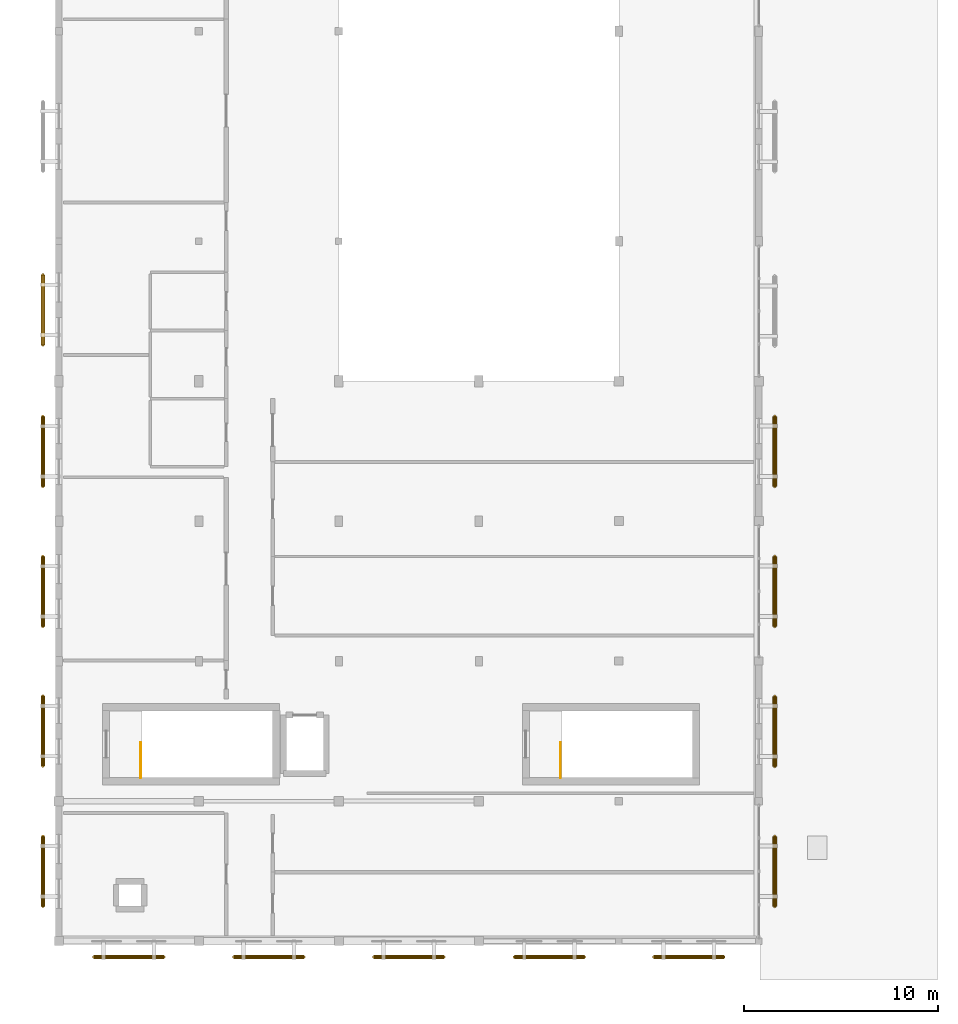
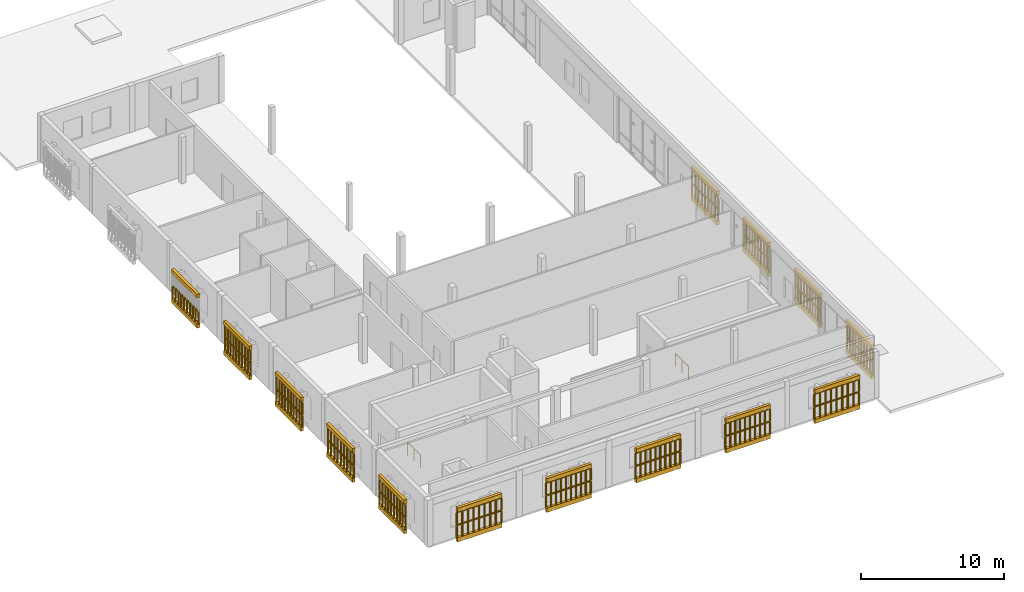
# One storey, part 11 of 11: 29 railings, 28 coverings.
"""IFC4 building model written with IfcOpenShell, lengths in metres."""

from ifc_helpers import new_model, si_unit, direction, frame, origin, origin_2d, place, context, subcontext, project, spatial, polyline, circle, outline, extrude, material, layer, layer_set, type_object, element, save


model = new_model("IFC4")

# Units and contexts
model_context = context("Model", 3, precision=1e-05, world=origin(), true_north=direction((0.0, 1.0)))
body_context = subcontext(model_context, "Body", "Model", "MODEL_VIEW")
ifc_project = project(units=[si_unit("LENGTHUNIT", "METRE"), si_unit("AREAUNIT", "SQUARE_METRE"), si_unit("VOLUMEUNIT", "CUBIC_METRE"), si_unit("PLANEANGLEUNIT", "RADIAN"), si_unit("MASSUNIT", "GRAM", prefix="KILO")], contexts=[model_context])

# Site, building, storey
site_placement = place(None, origin())
site = spatial("IfcSite", under=ifc_project, at=site_placement, CompositionType="ELEMENT")
building_placement = place(site_placement, origin())
building = spatial("IfcBuilding", under=site, at=building_placement, Name="Mazaris Harbour Polytechnic", CompositionType="ELEMENT")
storey_placement = place(building_placement, frame((0.0, 0.0, 22.199951171875)))
storey = spatial("IfcBuildingStorey", under=building, at=storey_placement, Name="L05", CompositionType="ELEMENT", Elevation=22.199951171875)

# Railings
ifc_material_1 = material(Name="Perforated Earth-Coloured Terracotta Block", Category="masonry")
railing_type_1 = type_object("IfcRailingType", Name="Perforated Earth-Block Claustra Lattice 1040", PredefinedType="BALUSTRADE", material=ifc_material_1)
for number, where, name in (
    (1, (5.39990234375, 6.3798828125, 0.52001953125), "V4 L05 Lower Perforated Terracotta Block Screen 336"),
    (2, (5.39990234375, 6.3798828125, 1.610107421875), "V4 L05 Upper Perforated Terracotta Block Screen 336"),
):
    element("IfcRailing", number, at=place(storey_placement, frame(where)), inside=storey, type_object=railing_type_1, Name=name, PredefinedType="BALUSTRADE", context=body_context, shape_type="SweptSolid", body=[
        extrude(circle(Radius=0.06982421875, at=origin_2d()), frame((0.0, 0.0, 1.02001953125), z_axis=(-1.0, 0.0, 0.0), x_axis=(0.0, -1.0, 0.0)), (0.0, 0.0, 1.0), 3.599853515625),
        extrude(circle(Radius=0.074951171875, at=origin_2d()), origin(), (0.0, 0.0, 1.0), 0.9501953125),
        extrude(circle(Radius=0.074951171875, at=origin_2d()), frame((-0.449951171875, 0.0, 0.0)), (0.0, 0.0, 1.0), 0.9501953125),
        extrude(circle(Radius=0.074951171875, at=origin_2d()), frame((-0.89990234375, 0.0, 0.0)), (0.0, 0.0, 1.0), 0.9501953125),
        extrude(circle(Radius=0.074951171875, at=origin_2d()), frame((-1.349853515625, 0.0, 0.0)), (0.0, 0.0, 1.0), 0.9501953125),
        extrude(circle(Radius=0.074951171875, at=origin_2d()), frame((-1.7998046875, 0.0, 0.0)), (0.0, 0.0, 1.0), 0.9501953125),
        extrude(circle(Radius=0.074951171875, at=origin_2d()), frame((-2.25, 0.0, 0.0)), (0.0, 0.0, 1.0), 0.9501953125),
        extrude(circle(Radius=0.074951171875, at=origin_2d()), frame((-2.699951171875, 0.0, 0.0)), (0.0, 0.0, 1.0), 0.9501953125),
        extrude(circle(Radius=0.074951171875, at=origin_2d()), frame((-3.14990234375, 0.0, 0.0)), (0.0, 0.0, 1.0), 0.9501953125),
        extrude(circle(Radius=0.074951171875, at=origin_2d()), frame((-3.599853515625, 0.0, 0.0)), (0.0, 0.0, 1.0), 0.9501953125),
    ])
for number, where, name in (
    (3, (12.60009765625, 6.3798828125, 0.52001953125), "V4 L05 Lower Perforated Terracotta Block Screen 337"),
    (4, (12.60009765625, 6.3798828125, 1.610107421875), "V4 L05 Upper Perforated Terracotta Block Screen 337"),
    (5, (19.800048828125, 6.3798828125, 0.52001953125), "V4 L05 Lower Perforated Terracotta Block Screen 338"),
    (6, (19.800048828125, 6.3798828125, 1.610107421875), "V4 L05 Upper Perforated Terracotta Block Screen 338"),
    (7, (27.030029296875, 6.3798828125, 0.52001953125), "V4 L05 Lower Perforated Terracotta Block Screen 339"),
    (8, (27.030029296875, 6.3798828125, 1.610107421875), "V4 L05 Upper Perforated Terracotta Block Screen 339"),
):
    element("IfcRailing", number, at=place(storey_placement, frame(where)), inside=storey, type_object=railing_type_1, Name=name, PredefinedType="BALUSTRADE", context=body_context, shape_type="SweptSolid", body=[
        extrude(circle(Radius=0.06982421875, at=origin_2d()), frame((0.0, 0.0, 1.02001953125), z_axis=(-1.0, 0.0, 0.0), x_axis=(0.0, -1.0, 0.0)), (0.0, 0.0, 1.0), 3.60009765625),
        extrude(circle(Radius=0.074951171875, at=origin_2d()), origin(), (0.0, 0.0, 1.0), 0.9501953125),
        extrude(circle(Radius=0.074951171875, at=origin_2d()), frame((-0.39990234375, 0.0, 0.0)), (0.0, 0.0, 1.0), 0.9501953125),
        extrude(circle(Radius=0.074951171875, at=origin_2d()), frame((-0.800048828125, 0.0, 0.0)), (0.0, 0.0, 1.0), 0.9501953125),
        extrude(circle(Radius=0.074951171875, at=origin_2d()), frame((-1.199951171875, 0.0, 0.0)), (0.0, 0.0, 1.0), 0.9501953125),
        extrude(circle(Radius=0.074951171875, at=origin_2d()), frame((-1.60009765625, 0.0, 0.0)), (0.0, 0.0, 1.0), 0.9501953125),
        extrude(circle(Radius=0.074951171875, at=origin_2d()), frame((-2.0, 0.0, 0.0)), (0.0, 0.0, 1.0), 0.9501953125),
        extrude(circle(Radius=0.074951171875, at=origin_2d()), frame((-2.400146484375, 0.0, 0.0)), (0.0, 0.0, 1.0), 0.9501953125),
        extrude(circle(Radius=0.074951171875, at=origin_2d()), frame((-2.800048828125, 0.0, 0.0)), (0.0, 0.0, 1.0), 0.9501953125),
        extrude(circle(Radius=0.074951171875, at=origin_2d()), frame((-3.2001953125, 0.0, 0.0)), (0.0, 0.0, 1.0), 0.9501953125),
        extrude(circle(Radius=0.074951171875, at=origin_2d()), frame((-3.60009765625, 0.0, 0.0)), (0.0, 0.0, 1.0), 0.9501953125),
    ])
for number, where, name in (
    (9, (34.199951171875, 6.3798828125, 0.52001953125), "V4 L05 Lower Perforated Terracotta Block Screen 340"),
    (10, (34.199951171875, 6.3798828125, 1.610107421875), "V4 L05 Upper Perforated Terracotta Block Screen 340"),
):
    element("IfcRailing", number, at=place(storey_placement, frame(where)), inside=storey, type_object=railing_type_1, Name=name, PredefinedType="BALUSTRADE", context=body_context, shape_type="SweptSolid", body=[
        extrude(circle(Radius=0.06982421875, at=origin_2d()), frame((0.0, 0.0, 1.02001953125), z_axis=(-1.0, 0.0, 0.0), x_axis=(0.0, -1.0, 0.0)), (0.0, 0.0, 1.0), 3.599853515625),
        extrude(circle(Radius=0.074951171875, at=origin_2d()), origin(), (0.0, 0.0, 1.0), 0.9501953125),
        extrude(circle(Radius=0.074951171875, at=origin_2d()), frame((-0.449951171875, 0.0, 0.0)), (0.0, 0.0, 1.0), 0.9501953125),
        extrude(circle(Radius=0.074951171875, at=origin_2d()), frame((-0.89990234375, 0.0, 0.0)), (0.0, 0.0, 1.0), 0.9501953125),
        extrude(circle(Radius=0.074951171875, at=origin_2d()), frame((-1.349853515625, 0.0, 0.0)), (0.0, 0.0, 1.0), 0.9501953125),
        extrude(circle(Radius=0.074951171875, at=origin_2d()), frame((-1.7998046875, 0.0, 0.0)), (0.0, 0.0, 1.0), 0.9501953125),
        extrude(circle(Radius=0.074951171875, at=origin_2d()), frame((-2.25, 0.0, 0.0)), (0.0, 0.0, 1.0), 0.9501953125),
        extrude(circle(Radius=0.074951171875, at=origin_2d()), frame((-2.699951171875, 0.0, 0.0)), (0.0, 0.0, 1.0), 0.9501953125),
        extrude(circle(Radius=0.074951171875, at=origin_2d()), frame((-3.14990234375, 0.0, 0.0)), (0.0, 0.0, 1.0), 0.9501953125),
        extrude(circle(Radius=0.074951171875, at=origin_2d()), frame((-3.599853515625, 0.0, 0.0)), (0.0, 0.0, 1.0), 0.9501953125),
    ])
for number, where, name in (
    (11, (-0.820068359375, 8.989990234375, 0.52001953125), "V4 L05 Lower Perforated Terracotta Block Screen 344"),
    (12, (-0.820068359375, 8.989990234375, 1.610107421875), "V4 L05 Upper Perforated Terracotta Block Screen 344"),
):
    element("IfcRailing", number, at=place(storey_placement, frame(where)), inside=storey, type_object=railing_type_1, Name=name, PredefinedType="BALUSTRADE", context=body_context, shape_type="SweptSolid", body=[
        extrude(circle(Radius=0.06982421875, at=origin_2d()), frame((0.0, 0.0, 1.02001953125), z_axis=(0.0, 1.0, 0.0), x_axis=(-1.0, 0.0, 0.0)), (0.0, 0.0, 1.0), 3.60009765625),
        extrude(circle(Radius=0.074951171875, at=origin_2d()), origin(), (0.0, 0.0, 1.0), 0.9501953125),
        extrude(circle(Radius=0.074951171875, at=origin_2d()), frame((0.0, 0.39990234375, 0.0)), (0.0, 0.0, 1.0), 0.9501953125),
        extrude(circle(Radius=0.074951171875, at=origin_2d()), frame((0.0, 0.800048828125, 0.0)), (0.0, 0.0, 1.0), 0.9501953125),
        extrude(circle(Radius=0.074951171875, at=origin_2d()), frame((0.0, 1.199951171875, 0.0)), (0.0, 0.0, 1.0), 0.9501953125),
        extrude(circle(Radius=0.074951171875, at=origin_2d()), frame((0.0, 1.60009765625, 0.0)), (0.0, 0.0, 1.0), 0.9501953125),
        extrude(circle(Radius=0.074951171875, at=origin_2d()), frame((0.0, 2.0, 0.0)), (0.0, 0.0, 1.0), 0.9501953125),
        extrude(circle(Radius=0.074951171875, at=origin_2d()), frame((0.0, 2.400146484375, 0.0)), (0.0, 0.0, 1.0), 0.9501953125),
        extrude(circle(Radius=0.074951171875, at=origin_2d()), frame((0.0, 2.800048828125, 0.0)), (0.0, 0.0, 1.0), 0.9501953125),
        extrude(circle(Radius=0.074951171875, at=origin_2d()), frame((0.0, 3.2001953125, 0.0)), (0.0, 0.0, 1.0), 0.9501953125),
        extrude(circle(Radius=0.074951171875, at=origin_2d()), frame((0.0, 3.60009765625, 0.0)), (0.0, 0.0, 1.0), 0.9501953125),
    ])
for number, where, name in (
    (13, (-0.820068359375, 16.205078125, 0.52001953125), "V4 L05 Lower Perforated Terracotta Block Screen 345"),
    (14, (-0.820068359375, 16.205078125, 1.610107421875), "V4 L05 Upper Perforated Terracotta Block Screen 345"),
):
    element("IfcRailing", number, at=place(storey_placement, frame(where)), inside=storey, type_object=railing_type_1, Name=name, PredefinedType="BALUSTRADE", context=body_context, shape_type="SweptSolid", body=[
        extrude(circle(Radius=0.06982421875, at=origin_2d()), frame((0.0, 0.0, 1.02001953125), z_axis=(0.0, 1.0, 0.0), x_axis=(-1.0, 0.0, 0.0)), (0.0, 0.0, 1.0), 3.599853515625),
        extrude(circle(Radius=0.074951171875, at=origin_2d()), origin(), (0.0, 0.0, 1.0), 0.9501953125),
        extrude(circle(Radius=0.074951171875, at=origin_2d()), frame((0.0, 0.449951171875, 0.0)), (0.0, 0.0, 1.0), 0.9501953125),
        extrude(circle(Radius=0.074951171875, at=origin_2d()), frame((0.0, 0.89990234375, 0.0)), (0.0, 0.0, 1.0), 0.9501953125),
        extrude(circle(Radius=0.074951171875, at=origin_2d()), frame((0.0, 1.349853515625, 0.0)), (0.0, 0.0, 1.0), 0.9501953125),
        extrude(circle(Radius=0.074951171875, at=origin_2d()), frame((0.0, 1.7998046875, 0.0)), (0.0, 0.0, 1.0), 0.9501953125),
        extrude(circle(Radius=0.074951171875, at=origin_2d()), frame((0.0, 2.25, 0.0)), (0.0, 0.0, 1.0), 0.9501953125),
        extrude(circle(Radius=0.074951171875, at=origin_2d()), frame((0.0, 2.699951171875, 0.0)), (0.0, 0.0, 1.0), 0.9501953125),
        extrude(circle(Radius=0.074951171875, at=origin_2d()), frame((0.0, 3.14990234375, 0.0)), (0.0, 0.0, 1.0), 0.9501953125),
        extrude(circle(Radius=0.074951171875, at=origin_2d()), frame((0.0, 3.599853515625, 0.0)), (0.0, 0.0, 1.0), 0.9501953125),
    ])
for number, where, name in (
    (15, (-0.820068359375, 23.385009765625, 0.52001953125), "V4 L05 Lower Perforated Terracotta Block Screen 346"),
    (16, (-0.820068359375, 23.385009765625, 1.610107421875), "V4 L05 Upper Perforated Terracotta Block Screen 346"),
    (17, (-0.820068359375, 30.5849609375, 0.52001953125), "V4 L05 Lower Perforated Terracotta Block Screen 347"),
    (18, (-0.820068359375, 30.5849609375, 1.610107421875), "V4 L05 Upper Perforated Terracotta Block Screen 347"),
    (19, (-0.820068359375, 37.864990234375, 0.52001953125), "V4 L05 Lower Perforated Terracotta Block Screen 348"),
):
    element("IfcRailing", number, at=place(storey_placement, frame(where)), inside=storey, type_object=railing_type_1, Name=name, PredefinedType="BALUSTRADE", context=body_context, shape_type="SweptSolid", body=[
        extrude(circle(Radius=0.06982421875, at=origin_2d()), frame((0.0, 0.0, 1.02001953125), z_axis=(0.0, 1.0, 0.0), x_axis=(-1.0, 0.0, 0.0)), (0.0, 0.0, 1.0), 3.60009765625),
        extrude(circle(Radius=0.074951171875, at=origin_2d()), origin(), (0.0, 0.0, 1.0), 0.9501953125),
        extrude(circle(Radius=0.074951171875, at=origin_2d()), frame((0.0, 0.39990234375, 0.0)), (0.0, 0.0, 1.0), 0.9501953125),
        extrude(circle(Radius=0.074951171875, at=origin_2d()), frame((0.0, 0.800048828125, 0.0)), (0.0, 0.0, 1.0), 0.9501953125),
        extrude(circle(Radius=0.074951171875, at=origin_2d()), frame((0.0, 1.199951171875, 0.0)), (0.0, 0.0, 1.0), 0.9501953125),
        extrude(circle(Radius=0.074951171875, at=origin_2d()), frame((0.0, 1.60009765625, 0.0)), (0.0, 0.0, 1.0), 0.9501953125),
        extrude(circle(Radius=0.074951171875, at=origin_2d()), frame((0.0, 2.0, 0.0)), (0.0, 0.0, 1.0), 0.9501953125),
        extrude(circle(Radius=0.074951171875, at=origin_2d()), frame((0.0, 2.400146484375, 0.0)), (0.0, 0.0, 1.0), 0.9501953125),
        extrude(circle(Radius=0.074951171875, at=origin_2d()), frame((0.0, 2.800048828125, 0.0)), (0.0, 0.0, 1.0), 0.9501953125),
        extrude(circle(Radius=0.074951171875, at=origin_2d()), frame((0.0, 3.2001953125, 0.0)), (0.0, 0.0, 1.0), 0.9501953125),
        extrude(circle(Radius=0.074951171875, at=origin_2d()), frame((0.0, 3.60009765625, 0.0)), (0.0, 0.0, 1.0), 0.9501953125),
    ])
for number, where, name in (
    (20, (36.820068359375, 12.590087890625, 0.52001953125), "V4 L05 Lower Perforated Terracotta Block Screen 351"),
    (21, (36.820068359375, 12.590087890625, 1.610107421875), "V4 L05 Upper Perforated Terracotta Block Screen 351"),
    (22, (36.820068359375, 19.7900390625, 0.52001953125), "V4 L05 Lower Perforated Terracotta Block Screen 352"),
    (23, (36.820068359375, 19.7900390625, 1.610107421875), "V4 L05 Upper Perforated Terracotta Block Screen 352"),
    (24, (36.820068359375, 26.989990234375, 0.52001953125), "V4 L05 Lower Perforated Terracotta Block Screen 353"),
    (25, (36.820068359375, 26.989990234375, 1.610107421875), "V4 L05 Upper Perforated Terracotta Block Screen 353"),
):
    element("IfcRailing", number, at=place(storey_placement, frame(where)), inside=storey, type_object=railing_type_1, Name=name, PredefinedType="BALUSTRADE", context=body_context, shape_type="SweptSolid", body=[
        extrude(circle(Radius=0.06982421875, at=origin_2d()), frame((0.0, 0.0, 1.02001953125), z_axis=(0.0, -1.0, 0.0), x_axis=(1.0, 0.0, 0.0)), (0.0, 0.0, 1.0), 3.60009765625),
        extrude(circle(Radius=0.074951171875, at=origin_2d()), origin(), (0.0, 0.0, 1.0), 0.9501953125),
        extrude(circle(Radius=0.074951171875, at=origin_2d()), frame((0.0, -0.39990234375, 0.0)), (0.0, 0.0, 1.0), 0.9501953125),
        extrude(circle(Radius=0.074951171875, at=origin_2d()), frame((0.0, -0.800048828125, 0.0)), (0.0, 0.0, 1.0), 0.9501953125),
        extrude(circle(Radius=0.074951171875, at=origin_2d()), frame((0.0, -1.199951171875, 0.0)), (0.0, 0.0, 1.0), 0.9501953125),
        extrude(circle(Radius=0.074951171875, at=origin_2d()), frame((0.0, -1.60009765625, 0.0)), (0.0, 0.0, 1.0), 0.9501953125),
        extrude(circle(Radius=0.074951171875, at=origin_2d()), frame((0.0, -2.0, 0.0)), (0.0, 0.0, 1.0), 0.9501953125),
        extrude(circle(Radius=0.074951171875, at=origin_2d()), frame((0.0, -2.400146484375, 0.0)), (0.0, 0.0, 1.0), 0.9501953125),
        extrude(circle(Radius=0.074951171875, at=origin_2d()), frame((0.0, -2.800048828125, 0.0)), (0.0, 0.0, 1.0), 0.9501953125),
        extrude(circle(Radius=0.074951171875, at=origin_2d()), frame((0.0, -3.2001953125, 0.0)), (0.0, 0.0, 1.0), 0.9501953125),
        extrude(circle(Radius=0.074951171875, at=origin_2d()), frame((0.0, -3.60009765625, 0.0)), (0.0, 0.0, 1.0), 0.9501953125),
    ])
for number, where, name in (
    (26, (36.820068359375, 34.18994140625, 0.52001953125), "V4 L05 Lower Perforated Terracotta Block Screen 354"),
    (27, (36.820068359375, 34.18994140625, 1.610107421875), "V4 L05 Upper Perforated Terracotta Block Screen 354"),
):
    element("IfcRailing", number, at=place(storey_placement, frame(where)), inside=storey, type_object=railing_type_1, Name=name, PredefinedType="BALUSTRADE", context=body_context, shape_type="SweptSolid", body=[
        extrude(circle(Radius=0.06982421875, at=origin_2d()), frame((0.0, 0.0, 1.02001953125), z_axis=(0.0, -1.0, 0.0), x_axis=(1.0, 0.0, 0.0)), (0.0, 0.0, 1.0), 3.599853515625),
        extrude(circle(Radius=0.074951171875, at=origin_2d()), origin(), (0.0, 0.0, 1.0), 0.9501953125),
        extrude(circle(Radius=0.074951171875, at=origin_2d()), frame((0.0, -0.449951171875, 0.0)), (0.0, 0.0, 1.0), 0.9501953125),
        extrude(circle(Radius=0.074951171875, at=origin_2d()), frame((0.0, -0.89990234375, 0.0)), (0.0, 0.0, 1.0), 0.9501953125),
        extrude(circle(Radius=0.074951171875, at=origin_2d()), frame((0.0, -1.349853515625, 0.0)), (0.0, 0.0, 1.0), 0.9501953125),
        extrude(circle(Radius=0.074951171875, at=origin_2d()), frame((0.0, -1.7998046875, 0.0)), (0.0, 0.0, 1.0), 0.9501953125),
        extrude(circle(Radius=0.074951171875, at=origin_2d()), frame((0.0, -2.25, 0.0)), (0.0, 0.0, 1.0), 0.9501953125),
        extrude(circle(Radius=0.074951171875, at=origin_2d()), frame((0.0, -2.699951171875, 0.0)), (0.0, 0.0, 1.0), 0.9501953125),
        extrude(circle(Radius=0.074951171875, at=origin_2d()), frame((0.0, -3.14990234375, 0.0)), (0.0, 0.0, 1.0), 0.9501953125),
        extrude(circle(Radius=0.074951171875, at=origin_2d()), frame((0.0, -3.599853515625, 0.0)), (0.0, 0.0, 1.0), 0.9501953125),
    ])
ifc_material_2 = material(Name="Steel S355", Category="steel")
railing_type_2 = type_object("IfcRailingType", Name="Stair Well Guardrail 1100", PredefinedType="GUARDRAIL", material=ifc_material_2)
for number, where, name in (
    (28, (4.199951171875, 15.60009765625, 0.0), "L05 ST07 top well guard 1"),
    (29, (25.800048828125, 15.60009765625, 0.0), "L05 ST08 top well guard 1"),
):
    element("IfcRailing", number, at=place(storey_placement, frame(where)), inside=storey, type_object=railing_type_2, Name=name, PredefinedType="GUARDRAIL", context=body_context, shape_type="SweptSolid", body=[
        extrude(circle(Radius=0.02392578125, at=origin_2d()), frame((0.0, 0.0, 1.076171875), z_axis=(0.0, 1.0, 0.0), x_axis=(-1.0, 0.0, 0.0)), (0.0, 0.0, 1.0), 1.7998046875),
        extrude(circle(Radius=0.02099609375, at=origin_2d()), origin(), (0.0, 0.0, 1.0), 1.052001953125),
        extrude(circle(Radius=0.02099609375, at=origin_2d()), frame((0.0, 0.89990234375, 0.0)), (0.0, 0.0, 1.0), 1.052001953125),
        extrude(circle(Radius=0.02099609375, at=origin_2d()), frame((0.0, 1.7998046875, 0.0)), (0.0, 0.0, 1.0), 1.052001953125),
    ])

# Coverings
ifc_material_3 = material(Name="Perforated Earth-Coloured Terracotta Block", Category="masonry")
ifc_layer = layer(ifc_material_3, 0.219970703125, Name="Perforated Earth-Coloured Terracotta Block")
ifc_layer_set = layer_set([ifc_layer], Name="Perforated Earth-Coloured Terracotta Block")
covering_type = type_object("IfcCoveringType", Name="Terracotta Screen Course Cladding 220", PredefinedType="CLADDING", material=ifc_layer_set)
covering_1_placement = place(storey_placement, frame((0.0, 0.0, 0.16015625)))
element("IfcCovering", 30, at=covering_1_placement, inside=storey, type_object=covering_type, Name="V4 L05 Perforated Screen Sill Course 336", PredefinedType="CLADDING", context=body_context, shape_type="SweptSolid", body=[
    extrude(outline(polyline([(5.39990234375, 6.489990234375), (1.800048828125, 6.489990234375), (1.800048828125, 6.27001953125), (5.39990234375, 6.27001953125), (5.39990234375, 6.489990234375)])), origin(), (0.0, 0.0, 1.0), 0.35986328125),
])
covering_2_placement = place(storey_placement, frame((0.0, 0.0, 2.699951171875)))
element("IfcCovering", 31, at=covering_2_placement, inside=storey, type_object=covering_type, Name="V4 L05 Perforated Screen Lintel Course 336", PredefinedType="CLADDING", context=body_context, shape_type="SweptSolid", body=[
    extrude(outline(polyline([(5.39990234375, 6.489990234375), (1.800048828125, 6.489990234375), (1.800048828125, 6.27001953125), (5.39990234375, 6.27001953125), (5.39990234375, 6.489990234375)])), origin(), (0.0, 0.0, 1.0), 0.340087890625),
])
covering_3_placement = place(storey_placement, frame((0.0, 0.0, 0.16015625)))
element("IfcCovering", 32, at=covering_3_placement, inside=storey, type_object=covering_type, Name="V4 L05 Perforated Screen Sill Course 337", PredefinedType="CLADDING", context=body_context, shape_type="SweptSolid", body=[
    extrude(outline(polyline([(12.60009765625, 6.489990234375), (9.0, 6.489990234375), (9.0, 6.27001953125), (12.60009765625, 6.27001953125), (12.60009765625, 6.489990234375)])), origin(), (0.0, 0.0, 1.0), 0.35986328125),
])
covering_4_placement = place(storey_placement, frame((0.0, 0.0, 2.699951171875)))
element("IfcCovering", 33, at=covering_4_placement, inside=storey, type_object=covering_type, Name="V4 L05 Perforated Screen Lintel Course 337", PredefinedType="CLADDING", context=body_context, shape_type="SweptSolid", body=[
    extrude(outline(polyline([(12.60009765625, 6.489990234375), (9.0, 6.489990234375), (9.0, 6.27001953125), (12.60009765625, 6.27001953125), (12.60009765625, 6.489990234375)])), origin(), (0.0, 0.0, 1.0), 0.340087890625),
])
covering_5_placement = place(storey_placement, frame((0.0, 0.0, 0.16015625)))
element("IfcCovering", 34, at=covering_5_placement, inside=storey, type_object=covering_type, Name="V4 L05 Perforated Screen Sill Course 338", PredefinedType="CLADDING", context=body_context, shape_type="SweptSolid", body=[
    extrude(outline(polyline([(19.800048828125, 6.489990234375), (16.199951171875, 6.489990234375), (16.199951171875, 6.27001953125), (19.800048828125, 6.27001953125), (19.800048828125, 6.489990234375)])), origin(), (0.0, 0.0, 1.0), 0.35986328125),
])
covering_6_placement = place(storey_placement, frame((0.0, 0.0, 2.699951171875)))
element("IfcCovering", 35, at=covering_6_placement, inside=storey, type_object=covering_type, Name="V4 L05 Perforated Screen Lintel Course 338", PredefinedType="CLADDING", context=body_context, shape_type="SweptSolid", body=[
    extrude(outline(polyline([(19.800048828125, 6.489990234375), (16.199951171875, 6.489990234375), (16.199951171875, 6.27001953125), (19.800048828125, 6.27001953125), (19.800048828125, 6.489990234375)])), origin(), (0.0, 0.0, 1.0), 0.340087890625),
])
covering_7_placement = place(storey_placement, frame((0.0, 0.0, 0.16015625)))
element("IfcCovering", 36, at=covering_7_placement, inside=storey, type_object=covering_type, Name="V4 L05 Perforated Screen Sill Course 339", PredefinedType="CLADDING", context=body_context, shape_type="SweptSolid", body=[
    extrude(outline(polyline([(27.030029296875, 6.489990234375), (23.429931640625, 6.489990234375), (23.429931640625, 6.27001953125), (27.030029296875, 6.27001953125), (27.030029296875, 6.489990234375)])), origin(), (0.0, 0.0, 1.0), 0.35986328125),
])
covering_8_placement = place(storey_placement, frame((0.0, 0.0, 2.699951171875)))
element("IfcCovering", 37, at=covering_8_placement, inside=storey, type_object=covering_type, Name="V4 L05 Perforated Screen Lintel Course 339", PredefinedType="CLADDING", context=body_context, shape_type="SweptSolid", body=[
    extrude(outline(polyline([(27.030029296875, 6.489990234375), (23.429931640625, 6.489990234375), (23.429931640625, 6.27001953125), (27.030029296875, 6.27001953125), (27.030029296875, 6.489990234375)])), origin(), (0.0, 0.0, 1.0), 0.340087890625),
])
covering_9_placement = place(storey_placement, frame((0.0, 0.0, 0.16015625)))
element("IfcCovering", 38, at=covering_9_placement, inside=storey, type_object=covering_type, Name="V4 L05 Perforated Screen Sill Course 340", PredefinedType="CLADDING", context=body_context, shape_type="SweptSolid", body=[
    extrude(outline(polyline([(34.199951171875, 6.489990234375), (30.60009765625, 6.489990234375), (30.60009765625, 6.27001953125), (34.199951171875, 6.27001953125), (34.199951171875, 6.489990234375)])), origin(), (0.0, 0.0, 1.0), 0.35986328125),
])
covering_10_placement = place(storey_placement, frame((0.0, 0.0, 2.699951171875)))
element("IfcCovering", 39, at=covering_10_placement, inside=storey, type_object=covering_type, Name="V4 L05 Perforated Screen Lintel Course 340", PredefinedType="CLADDING", context=body_context, shape_type="SweptSolid", body=[
    extrude(outline(polyline([(34.199951171875, 6.489990234375), (30.60009765625, 6.489990234375), (30.60009765625, 6.27001953125), (34.199951171875, 6.27001953125), (34.199951171875, 6.489990234375)])), origin(), (0.0, 0.0, 1.0), 0.340087890625),
])
covering_11_placement = place(storey_placement, frame((0.0, 0.0, 0.16015625)))
element("IfcCovering", 40, at=covering_11_placement, inside=storey, type_object=covering_type, Name="V4 L05 Perforated Screen Sill Course 344", PredefinedType="CLADDING", context=body_context, shape_type="SweptSolid", body=[
    extrude(outline(polyline([(-0.7099609375, 8.989990234375), (-0.7099609375, 12.590087890625), (-0.929931640625, 12.590087890625), (-0.929931640625, 8.989990234375), (-0.7099609375, 8.989990234375)])), origin(), (0.0, 0.0, 1.0), 0.35986328125),
])
covering_12_placement = place(storey_placement, frame((0.0, 0.0, 2.699951171875)))
element("IfcCovering", 41, at=covering_12_placement, inside=storey, type_object=covering_type, Name="V4 L05 Perforated Screen Lintel Course 344", PredefinedType="CLADDING", context=body_context, shape_type="SweptSolid", body=[
    extrude(outline(polyline([(-0.7099609375, 8.989990234375), (-0.7099609375, 12.590087890625), (-0.929931640625, 12.590087890625), (-0.929931640625, 8.989990234375), (-0.7099609375, 8.989990234375)])), origin(), (0.0, 0.0, 1.0), 0.340087890625),
])
covering_13_placement = place(storey_placement, frame((0.0, 0.0, 0.16015625)))
element("IfcCovering", 42, at=covering_13_placement, inside=storey, type_object=covering_type, Name="V4 L05 Perforated Screen Sill Course 345", PredefinedType="CLADDING", context=body_context, shape_type="SweptSolid", body=[
    extrude(outline(polyline([(-0.7099609375, 16.205078125), (-0.7099609375, 19.804931640625), (-0.929931640625, 19.804931640625), (-0.929931640625, 16.205078125), (-0.7099609375, 16.205078125)])), origin(), (0.0, 0.0, 1.0), 0.35986328125),
])
covering_14_placement = place(storey_placement, frame((0.0, 0.0, 2.699951171875)))
element("IfcCovering", 43, at=covering_14_placement, inside=storey, type_object=covering_type, Name="V4 L05 Perforated Screen Lintel Course 345", PredefinedType="CLADDING", context=body_context, shape_type="SweptSolid", body=[
    extrude(outline(polyline([(-0.7099609375, 16.205078125), (-0.7099609375, 19.804931640625), (-0.929931640625, 19.804931640625), (-0.929931640625, 16.205078125), (-0.7099609375, 16.205078125)])), origin(), (0.0, 0.0, 1.0), 0.340087890625),
])
covering_15_placement = place(storey_placement, frame((0.0, 0.0, 0.16015625)))
element("IfcCovering", 44, at=covering_15_placement, inside=storey, type_object=covering_type, Name="V4 L05 Perforated Screen Sill Course 346", PredefinedType="CLADDING", context=body_context, shape_type="SweptSolid", body=[
    extrude(outline(polyline([(-0.7099609375, 23.385009765625), (-0.7099609375, 26.985107421875), (-0.929931640625, 26.985107421875), (-0.929931640625, 23.385009765625), (-0.7099609375, 23.385009765625)])), origin(), (0.0, 0.0, 1.0), 0.35986328125),
])
covering_16_placement = place(storey_placement, frame((0.0, 0.0, 2.699951171875)))
element("IfcCovering", 45, at=covering_16_placement, inside=storey, type_object=covering_type, Name="V4 L05 Perforated Screen Lintel Course 346", PredefinedType="CLADDING", context=body_context, shape_type="SweptSolid", body=[
    extrude(outline(polyline([(-0.7099609375, 23.385009765625), (-0.7099609375, 26.985107421875), (-0.929931640625, 26.985107421875), (-0.929931640625, 23.385009765625), (-0.7099609375, 23.385009765625)])), origin(), (0.0, 0.0, 1.0), 0.340087890625),
])
covering_17_placement = place(storey_placement, frame((0.0, 0.0, 0.16015625)))
element("IfcCovering", 46, at=covering_17_placement, inside=storey, type_object=covering_type, Name="V4 L05 Perforated Screen Sill Course 347", PredefinedType="CLADDING", context=body_context, shape_type="SweptSolid", body=[
    extrude(outline(polyline([(-0.7099609375, 30.5849609375), (-0.7099609375, 34.18505859375), (-0.929931640625, 34.18505859375), (-0.929931640625, 30.5849609375), (-0.7099609375, 30.5849609375)])), origin(), (0.0, 0.0, 1.0), 0.35986328125),
])
covering_18_placement = place(storey_placement, frame((0.0, 0.0, 2.699951171875)))
element("IfcCovering", 47, at=covering_18_placement, inside=storey, type_object=covering_type, Name="V4 L05 Perforated Screen Lintel Course 347", PredefinedType="CLADDING", context=body_context, shape_type="SweptSolid", body=[
    extrude(outline(polyline([(-0.7099609375, 30.5849609375), (-0.7099609375, 34.18505859375), (-0.929931640625, 34.18505859375), (-0.929931640625, 30.5849609375), (-0.7099609375, 30.5849609375)])), origin(), (0.0, 0.0, 1.0), 0.340087890625),
])
covering_19_placement = place(storey_placement, frame((0.0, 0.0, 0.16015625)))
element("IfcCovering", 48, at=covering_19_placement, inside=storey, type_object=covering_type, Name="V4 L05 Perforated Screen Sill Course 348", PredefinedType="CLADDING", context=body_context, shape_type="SweptSolid", body=[
    extrude(outline(polyline([(-0.7099609375, 37.864990234375), (-0.7099609375, 41.465087890625), (-0.929931640625, 41.465087890625), (-0.929931640625, 37.864990234375), (-0.7099609375, 37.864990234375)])), origin(), (0.0, 0.0, 1.0), 0.35986328125),
])
covering_20_placement = place(storey_placement, frame((0.0, 0.0, 2.699951171875)))
element("IfcCovering", 49, at=covering_20_placement, inside=storey, type_object=covering_type, Name="V4 L05 Perforated Screen Lintel Course 348", PredefinedType="CLADDING", context=body_context, shape_type="SweptSolid", body=[
    extrude(outline(polyline([(-0.7099609375, 37.864990234375), (-0.7099609375, 41.465087890625), (-0.929931640625, 41.465087890625), (-0.929931640625, 37.864990234375), (-0.7099609375, 37.864990234375)])), origin(), (0.0, 0.0, 1.0), 0.340087890625),
])
covering_21_placement = place(storey_placement, frame((0.0, 0.0, 0.16015625)))
element("IfcCovering", 50, at=covering_21_placement, inside=storey, type_object=covering_type, Name="V4 L05 Perforated Screen Sill Course 351", PredefinedType="CLADDING", context=body_context, shape_type="SweptSolid", body=[
    extrude(outline(polyline([(36.7099609375, 12.590087890625), (36.7099609375, 8.989990234375), (36.929931640625, 8.989990234375), (36.929931640625, 12.590087890625), (36.7099609375, 12.590087890625)])), origin(), (0.0, 0.0, 1.0), 0.35986328125),
])
covering_22_placement = place(storey_placement, frame((0.0, 0.0, 2.699951171875)))
element("IfcCovering", 51, at=covering_22_placement, inside=storey, type_object=covering_type, Name="V4 L05 Perforated Screen Lintel Course 351", PredefinedType="CLADDING", context=body_context, shape_type="SweptSolid", body=[
    extrude(outline(polyline([(36.7099609375, 12.590087890625), (36.7099609375, 8.989990234375), (36.929931640625, 8.989990234375), (36.929931640625, 12.590087890625), (36.7099609375, 12.590087890625)])), origin(), (0.0, 0.0, 1.0), 0.340087890625),
])
covering_23_placement = place(storey_placement, frame((0.0, 0.0, 0.16015625)))
element("IfcCovering", 52, at=covering_23_placement, inside=storey, type_object=covering_type, Name="V4 L05 Perforated Screen Sill Course 352", PredefinedType="CLADDING", context=body_context, shape_type="SweptSolid", body=[
    extrude(outline(polyline([(36.7099609375, 19.7900390625), (36.7099609375, 16.18994140625), (36.929931640625, 16.18994140625), (36.929931640625, 19.7900390625), (36.7099609375, 19.7900390625)])), origin(), (0.0, 0.0, 1.0), 0.35986328125),
])
covering_24_placement = place(storey_placement, frame((0.0, 0.0, 2.699951171875)))
element("IfcCovering", 53, at=covering_24_placement, inside=storey, type_object=covering_type, Name="V4 L05 Perforated Screen Lintel Course 352", PredefinedType="CLADDING", context=body_context, shape_type="SweptSolid", body=[
    extrude(outline(polyline([(36.7099609375, 19.7900390625), (36.7099609375, 16.18994140625), (36.929931640625, 16.18994140625), (36.929931640625, 19.7900390625), (36.7099609375, 19.7900390625)])), origin(), (0.0, 0.0, 1.0), 0.340087890625),
])
covering_25_placement = place(storey_placement, frame((0.0, 0.0, 0.16015625)))
element("IfcCovering", 54, at=covering_25_placement, inside=storey, type_object=covering_type, Name="V4 L05 Perforated Screen Sill Course 353", PredefinedType="CLADDING", context=body_context, shape_type="SweptSolid", body=[
    extrude(outline(polyline([(36.7099609375, 26.989990234375), (36.7099609375, 23.389892578125), (36.929931640625, 23.389892578125), (36.929931640625, 26.989990234375), (36.7099609375, 26.989990234375)])), origin(), (0.0, 0.0, 1.0), 0.35986328125),
])
covering_26_placement = place(storey_placement, frame((0.0, 0.0, 2.699951171875)))
element("IfcCovering", 55, at=covering_26_placement, inside=storey, type_object=covering_type, Name="V4 L05 Perforated Screen Lintel Course 353", PredefinedType="CLADDING", context=body_context, shape_type="SweptSolid", body=[
    extrude(outline(polyline([(36.7099609375, 26.989990234375), (36.7099609375, 23.389892578125), (36.929931640625, 23.389892578125), (36.929931640625, 26.989990234375), (36.7099609375, 26.989990234375)])), origin(), (0.0, 0.0, 1.0), 0.340087890625),
])
covering_27_placement = place(storey_placement, frame((0.0, 0.0, 0.16015625)))
element("IfcCovering", 56, at=covering_27_placement, inside=storey, type_object=covering_type, Name="V4 L05 Perforated Screen Sill Course 354", PredefinedType="CLADDING", context=body_context, shape_type="SweptSolid", body=[
    extrude(outline(polyline([(36.7099609375, 34.18994140625), (36.7099609375, 30.590087890625), (36.929931640625, 30.590087890625), (36.929931640625, 34.18994140625), (36.7099609375, 34.18994140625)])), origin(), (0.0, 0.0, 1.0), 0.35986328125),
])
covering_28_placement = place(storey_placement, frame((0.0, 0.0, 2.699951171875)))
element("IfcCovering", 57, at=covering_28_placement, inside=storey, type_object=covering_type, Name="V4 L05 Perforated Screen Lintel Course 354", PredefinedType="CLADDING", context=body_context, shape_type="SweptSolid", body=[
    extrude(outline(polyline([(36.7099609375, 34.18994140625), (36.7099609375, 30.590087890625), (36.929931640625, 30.590087890625), (36.929931640625, 34.18994140625), (36.7099609375, 34.18994140625)])), origin(), (0.0, 0.0, 1.0), 0.340087890625),
])

save(model, "model.ifc")
